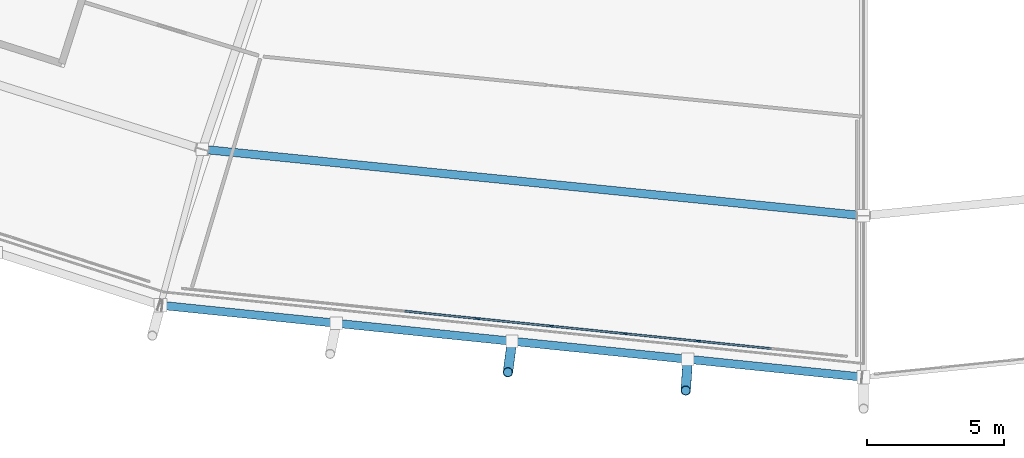
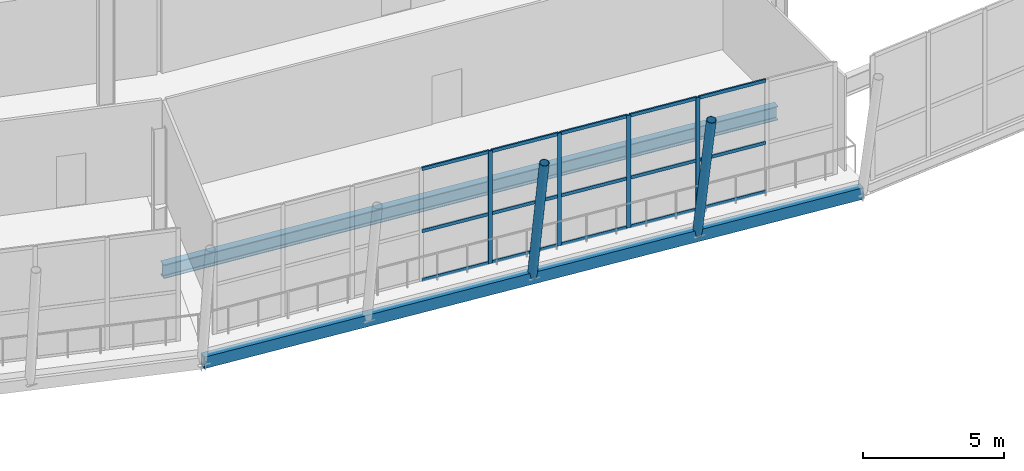
# One storey, part 21 of 99: 21 members, 2 beams, 1 element without a shape of its own.
"""IFC4 building model written with IfcOpenShell, lengths in metres."""

from ifc_helpers import new_model, si_unit, direction, frame, origin, origin_2d, place, context, subcontext, project, spatial, rectangle, hollow_rectangle, hollow_circle, i_section, extrude, material, material_profile, profile_set, type_object, element, aggregate, save


model = new_model("IFC4")

# Units and contexts
model_context = context("Model", 3, precision=1e-05, world=origin(), true_north=direction((0.0, 1.0)))
body_context = subcontext(model_context, "Body", "Model", "MODEL_VIEW")
ifc_project = project(units=[si_unit("LENGTHUNIT", "METRE"), si_unit("AREAUNIT", "SQUARE_METRE"), si_unit("VOLUMEUNIT", "CUBIC_METRE"), si_unit("PLANEANGLEUNIT", "RADIAN"), si_unit("MASSUNIT", "GRAM", prefix="KILO")], contexts=[model_context])

# Site, building, storey
site_placement = place(None, origin())
site = spatial("IfcSite", under=ifc_project, at=site_placement, CompositionType="ELEMENT")
building_placement = place(site_placement, origin())
building = spatial("IfcBuilding", under=site, at=building_placement, Name="Zlatoyarsky Gate Stadium", CompositionType="ELEMENT")
storey_placement = place(building_placement, frame((0.0, 0.0, 26.199951171875)))
storey = spatial("IfcBuildingStorey", under=building, at=storey_placement, Name="L05", CompositionType="ELEMENT", Elevation=26.199951171875)

# Curtain wall, members
ifc_material_1 = material(Name="Thermally broken anodised aluminium curtain wall", Category="aluminium")
curtain_wall_type = type_object("IfcCurtainWallType", Name="UNITISED SKYBOX RING GLAZING L05", PredefinedType="USERDEFINED", material=ifc_material_1)
curtain_wall_placement = place(storey_placement, origin())
curtain_wall = element("IfcCurtainWall", 1, at=curtain_wall_placement, inside=storey, type_object=curtain_wall_type, Name="Curtain wall CW-L05-17", ObjectType="UNITISED GLAZING", PredefinedType="USERDEFINED")
ifc_material_2 = material(Name="Anodised aluminium 6063-T6", Category="aluminium")
ifc_material_profile_1 = material_profile(ifc_material_2, rectangle(XDim=0.06494140625, YDim=0.159912109375, at=origin_2d()), Name="ALU 65X160")
ifc_profile_set_1 = profile_set([ifc_material_profile_1], Name="Anodised aluminium 6063-T6")
member_type_1 = type_object("IfcMemberType", Name="ALUMINIUM MULLION 65X160", PredefinedType="MULLION", material=ifc_profile_set_1)
member_1_placement = place(storey_placement, frame((96.954833984375, 5.256591796875, 0.0), z_axis=(0.0, 0.0, 1.0), x_axis=(0.101618248063, 0.994823467586, 0.0)))
member_1 = element("IfcMember", 2, at=member_1_placement, type_object=member_type_1, Name="CW-UG5 mullion 5", PredefinedType="MULLION", context=body_context, shape_type="SweptSolid", body=[
    extrude(rectangle(XDim=0.06494140625, YDim=0.159912109375, at=origin_2d()), origin(), (0.0, 0.0, 1.0), 4.880126953125),
])
member_2_placement = place(storey_placement, frame((99.634765625, 4.98291015625, 0.0), z_axis=(0.0, 0.0, 1.0), x_axis=(0.101618248063, 0.994823467586, 0.0)))
member_2 = element("IfcMember", 3, at=member_2_placement, type_object=member_type_1, Name="CW-UG5 mullion 6", PredefinedType="MULLION", context=body_context, shape_type="SweptSolid", body=[
    extrude(rectangle(XDim=0.06494140625, YDim=0.159912109375, at=origin_2d()), origin(), (0.0, 0.0, 1.0), 4.880126953125),
])
member_3_placement = place(storey_placement, frame((102.314453125, 4.709228515625, 0.0), z_axis=(0.0, 0.0, 1.0), x_axis=(0.101618248063, 0.994823467586, 0.0)))
member_3 = element("IfcMember", 4, at=member_3_placement, type_object=member_type_1, Name="CW-UG5 mullion 7", PredefinedType="MULLION", context=body_context, shape_type="SweptSolid", body=[
    extrude(rectangle(XDim=0.06494140625, YDim=0.159912109375, at=origin_2d()), origin(), (0.0, 0.0, 1.0), 4.880126953125),
])
member_4_placement = place(storey_placement, frame((104.994140625, 4.435546875, 0.0), z_axis=(0.0, 0.0, 1.0), x_axis=(0.101618248063, 0.994823467586, 0.0)))
member_4 = element("IfcMember", 5, at=member_4_placement, type_object=member_type_1, Name="CW-UG5 mullion 8", PredefinedType="MULLION", context=body_context, shape_type="SweptSolid", body=[
    extrude(rectangle(XDim=0.06494140625, YDim=0.159912109375, at=origin_2d()), origin(), (0.0, 0.0, 1.0), 4.880126953125),
])
ifc_material_profile_2 = material_profile(ifc_material_2, rectangle(XDim=0.06494140625, YDim=0.139892578125, at=origin_2d()), Name="ALU 65X140")
ifc_profile_set_2 = profile_set([ifc_material_profile_2], Name="Anodised aluminium 6063-T6")
member_type_2 = type_object("IfcMemberType", Name="ALUMINIUM TRANSOM 65X140", PredefinedType="USERDEFINED", material=ifc_profile_set_2)
member_5_placement = place(storey_placement, frame((94.3076171875, 5.527099609375, 0.032470703125), z_axis=(0.994824375324, -0.101609361087, 0.0), x_axis=(0.101609361087, 0.994824375324, 0.0)))
member_5 = element("IfcMember", 6, at=member_5_placement, type_object=member_type_2, Name="CW-UG5 transom 4.1", ObjectType="TRANSOM", PredefinedType="USERDEFINED", context=body_context, shape_type="SweptSolid", body=[
    extrude(rectangle(XDim=0.06494140625, YDim=0.139892578125, at=origin_2d()), origin(), (0.0, 0.0, 1.0), 2.628662109375),
])
member_6_placement = place(storey_placement, frame((94.3076171875, 5.527099609375, 2.150146484375), z_axis=(0.994824375324, -0.101609361087, 0.0), x_axis=(0.101609361087, 0.994824375324, 0.0)))
member_6 = element("IfcMember", 7, at=member_6_placement, type_object=member_type_2, Name="CW-UG5 transom 4.2", ObjectType="TRANSOM", PredefinedType="USERDEFINED", context=body_context, shape_type="SweptSolid", body=[
    extrude(rectangle(XDim=0.06494140625, YDim=0.139892578125, at=origin_2d()), origin(), (0.0, 0.0, 1.0), 2.628662109375),
])
member_7_placement = place(storey_placement, frame((94.3076171875, 5.527099609375, 4.84765625), z_axis=(0.994824375324, -0.101609361087, 0.0), x_axis=(0.101609361087, 0.994824375324, 0.0)))
member_7 = element("IfcMember", 8, at=member_7_placement, type_object=member_type_2, Name="CW-UG5 transom 4.3", ObjectType="TRANSOM", PredefinedType="USERDEFINED", context=body_context, shape_type="SweptSolid", body=[
    extrude(rectangle(XDim=0.06494140625, YDim=0.139892578125, at=origin_2d()), origin(), (0.0, 0.0, 1.0), 2.628662109375),
])
member_8_placement = place(storey_placement, frame((96.9873046875, 5.25341796875, 0.032470703125), z_axis=(0.994814982659, -0.10170127962, 0.0), x_axis=(0.10170127962, 0.994814982659, 0.0)))
member_8 = element("IfcMember", 9, at=member_8_placement, type_object=member_type_2, Name="CW-UG5 transom 5.1", ObjectType="TRANSOM", PredefinedType="USERDEFINED", context=body_context, shape_type="SweptSolid", body=[
    extrude(rectangle(XDim=0.06494140625, YDim=0.139892578125, at=origin_2d()), origin(), (0.0, 0.0, 1.0), 2.628662109375),
])
member_9_placement = place(storey_placement, frame((96.9873046875, 5.25341796875, 2.150146484375), z_axis=(0.994814982659, -0.10170127962, 0.0), x_axis=(0.10170127962, 0.994814982659, 0.0)))
member_9 = element("IfcMember", 10, at=member_9_placement, type_object=member_type_2, Name="CW-UG5 transom 5.2", ObjectType="TRANSOM", PredefinedType="USERDEFINED", context=body_context, shape_type="SweptSolid", body=[
    extrude(rectangle(XDim=0.06494140625, YDim=0.139892578125, at=origin_2d()), origin(), (0.0, 0.0, 1.0), 2.628662109375),
])
member_10_placement = place(storey_placement, frame((96.9873046875, 5.25341796875, 4.84765625), z_axis=(0.994814982659, -0.10170127962, 0.0), x_axis=(0.10170127962, 0.994814982659, 0.0)))
member_10 = element("IfcMember", 11, at=member_10_placement, type_object=member_type_2, Name="CW-UG5 transom 5.3", ObjectType="TRANSOM", PredefinedType="USERDEFINED", context=body_context, shape_type="SweptSolid", body=[
    extrude(rectangle(XDim=0.06494140625, YDim=0.139892578125, at=origin_2d()), origin(), (0.0, 0.0, 1.0), 2.628662109375),
])
member_11_placement = place(storey_placement, frame((99.6669921875, 4.9794921875, 0.032470703125), z_axis=(0.994824375324, -0.101609361087, 0.0), x_axis=(0.101609361087, 0.994824375324, 0.0)))
member_11 = element("IfcMember", 12, at=member_11_placement, type_object=member_type_2, Name="CW-UG5 transom 6.1", ObjectType="TRANSOM", PredefinedType="USERDEFINED", context=body_context, shape_type="SweptSolid", body=[
    extrude(rectangle(XDim=0.06494140625, YDim=0.139892578125, at=origin_2d()), origin(), (0.0, 0.0, 1.0), 2.628662109375),
])
member_12_placement = place(storey_placement, frame((99.6669921875, 4.9794921875, 2.150146484375), z_axis=(0.994824375324, -0.101609361087, 0.0), x_axis=(0.101609361087, 0.994824375324, 0.0)))
member_12 = element("IfcMember", 13, at=member_12_placement, type_object=member_type_2, Name="CW-UG5 transom 6.2", ObjectType="TRANSOM", PredefinedType="USERDEFINED", context=body_context, shape_type="SweptSolid", body=[
    extrude(rectangle(XDim=0.06494140625, YDim=0.139892578125, at=origin_2d()), origin(), (0.0, 0.0, 1.0), 2.628662109375),
])
member_13_placement = place(storey_placement, frame((99.6669921875, 4.9794921875, 4.84765625), z_axis=(0.994824375324, -0.101609361087, 0.0), x_axis=(0.101609361087, 0.994824375324, 0.0)))
member_13 = element("IfcMember", 14, at=member_13_placement, type_object=member_type_2, Name="CW-UG5 transom 6.3", ObjectType="TRANSOM", PredefinedType="USERDEFINED", context=body_context, shape_type="SweptSolid", body=[
    extrude(rectangle(XDim=0.06494140625, YDim=0.139892578125, at=origin_2d()), origin(), (0.0, 0.0, 1.0), 2.628662109375),
])
member_14_placement = place(storey_placement, frame((102.3466796875, 4.705810546875, 0.032470703125), z_axis=(0.994824375324, -0.101609361087, 0.0), x_axis=(0.101609361087, 0.994824375324, 0.0)))
member_14 = element("IfcMember", 15, at=member_14_placement, type_object=member_type_2, Name="CW-UG5 transom 7.1", ObjectType="TRANSOM", PredefinedType="USERDEFINED", context=body_context, shape_type="SweptSolid", body=[
    extrude(rectangle(XDim=0.06494140625, YDim=0.139892578125, at=origin_2d()), origin(), (0.0, 0.0, 1.0), 2.628662109375),
])
member_15_placement = place(storey_placement, frame((102.3466796875, 4.705810546875, 2.150146484375), z_axis=(0.994824375324, -0.101609361087, 0.0), x_axis=(0.101609361087, 0.994824375324, 0.0)))
member_15 = element("IfcMember", 16, at=member_15_placement, type_object=member_type_2, Name="CW-UG5 transom 7.2", ObjectType="TRANSOM", PredefinedType="USERDEFINED", context=body_context, shape_type="SweptSolid", body=[
    extrude(rectangle(XDim=0.06494140625, YDim=0.139892578125, at=origin_2d()), origin(), (0.0, 0.0, 1.0), 2.628662109375),
])
member_16_placement = place(storey_placement, frame((102.3466796875, 4.705810546875, 4.84765625), z_axis=(0.994824375324, -0.101609361087, 0.0), x_axis=(0.101609361087, 0.994824375324, 0.0)))
member_16 = element("IfcMember", 17, at=member_16_placement, type_object=member_type_2, Name="CW-UG5 transom 7.3", ObjectType="TRANSOM", PredefinedType="USERDEFINED", context=body_context, shape_type="SweptSolid", body=[
    extrude(rectangle(XDim=0.06494140625, YDim=0.139892578125, at=origin_2d()), origin(), (0.0, 0.0, 1.0), 2.628662109375),
])
member_17_placement = place(storey_placement, frame((105.0263671875, 4.43212890625, 0.032470703125), z_axis=(0.994824375324, -0.101609361087, 0.0), x_axis=(0.101609361087, 0.994824375324, 0.0)))
member_17 = element("IfcMember", 18, at=member_17_placement, type_object=member_type_2, Name="CW-UG5 transom 8.1", ObjectType="TRANSOM", PredefinedType="USERDEFINED", context=body_context, shape_type="SweptSolid", body=[
    extrude(rectangle(XDim=0.06494140625, YDim=0.139892578125, at=origin_2d()), origin(), (0.0, 0.0, 1.0), 2.628662109375),
])
member_18_placement = place(storey_placement, frame((105.0263671875, 4.43212890625, 2.150146484375), z_axis=(0.994824375324, -0.101609361087, 0.0), x_axis=(0.101609361087, 0.994824375324, 0.0)))
member_18 = element("IfcMember", 19, at=member_18_placement, type_object=member_type_2, Name="CW-UG5 transom 8.2", ObjectType="TRANSOM", PredefinedType="USERDEFINED", context=body_context, shape_type="SweptSolid", body=[
    extrude(rectangle(XDim=0.06494140625, YDim=0.139892578125, at=origin_2d()), origin(), (0.0, 0.0, 1.0), 2.628662109375),
])
member_19_placement = place(storey_placement, frame((105.0263671875, 4.43212890625, 4.84765625), z_axis=(0.994824375324, -0.101609361087, 0.0), x_axis=(0.101609361087, 0.994824375324, 0.0)))
member_19 = element("IfcMember", 20, at=member_19_placement, type_object=member_type_2, Name="CW-UG5 transom 8.3", ObjectType="TRANSOM", PredefinedType="USERDEFINED", context=body_context, shape_type="SweptSolid", body=[
    extrude(rectangle(XDim=0.06494140625, YDim=0.139892578125, at=origin_2d()), origin(), (0.0, 0.0, 1.0), 2.628662109375),
])
aggregate(curtain_wall, [member_1, member_2, member_3, member_4, member_5, member_6, member_7, member_8, member_9, member_10, member_11, member_12, member_13, member_14, member_15, member_16, member_17, member_18, member_19])

# Members
ifc_material_3 = material(Name="Steel S355", Category="steel")
ifc_material_profile_3 = material_profile(ifc_material_3, hollow_circle(Radius=0.177734375, WallThickness=0.02001953125, at=origin_2d()), Name="CHS 355.6X20")
ifc_profile_set_3 = profile_set([ifc_material_profile_3], Name="Steel S355")
member_type_3 = type_object("IfcMemberType", Name="STEEL LEANING RIB RING STRUT CHS 355.6X20", PredefinedType="STRUT", material=ifc_profile_set_3)
member_20_placement = place(storey_placement, frame((98.204345703125, 4.431640625, -0.510009765625), z_axis=(-0.025793599509, -0.195693079554, 0.980325919702), x_axis=(0.991425104906, -0.130676169834, 0.0)))
element("IfcMember", 21, at=member_20_placement, inside=storey, type_object=member_type_3, Name="Outward-leaning bowl louvre fin rib L05 17-2", PredefinedType="STRUT", context=body_context, shape_type="SweptSolid", body=[
    extrude(hollow_circle(Radius=0.177734375, WallThickness=0.02001953125, at=origin_2d()), origin(), (0.0, 0.0, 1.0), 5.773681640625),
])
member_21_placement = place(storey_placement, frame((104.60205078125, 3.77685546875, -0.510009765625), z_axis=(-0.012895730339, -0.197368095817, 0.980244630127), x_axis=(0.997872252144, -0.065199450922, 0.0)))
element("IfcMember", 22, at=member_21_placement, inside=storey, type_object=member_type_3, Name="Outward-leaning bowl louvre fin rib L05 17-3", PredefinedType="STRUT", context=body_context, shape_type="SweptSolid", body=[
    extrude(hollow_circle(Radius=0.177734375, WallThickness=0.02001953125, at=origin_2d()), origin(), (0.0, 0.0, 1.0), 5.774169921875),
])

# Beams
ifc_material_profile_4 = material_profile(ifc_material_3, hollow_rectangle(XDim=0.300048828125, YDim=0.5, WallThickness=0.02001953125, at=origin_2d()), Name="RHS 500X300X20")
ifc_profile_set_4 = profile_set([ifc_material_profile_4], Name="Steel S355")
beam_type_1 = type_object("IfcBeamType", Name="STEEL LOUVRE CARRIER SPANDREL RHS 500X300X20", PredefinedType="SPANDREL", material=ifc_profile_set_4)
beam_1_placement = place(storey_placement, frame((85.428466796875, 5.739501953125, -0.510009765625), z_axis=(0.994800962536, -0.10183832745, 0.0), x_axis=(0.10183832745, 0.994800962536, 0.0)))
element("IfcBeam", 23, at=beam_1_placement, inside=storey, type_object=beam_type_1, Name="Beam SP-RHS500 BM-L05-SPD-17", PredefinedType="SPANDREL", context=body_context, shape_type="SweptSolid", body=[
    extrude(hollow_rectangle(XDim=0.300048828125, YDim=0.5, WallThickness=0.02001953125, at=origin_2d()), origin(), (0.0, 0.0, 1.0), 25.68505859375),
])
ifc_material_profile_5 = material_profile(ifc_material_3, i_section(OverallWidth=0.300048828125, OverallDepth=0.60009765625, WebThickness=0.015380859375, FlangeThickness=0.030029296875, FilletRadius=0.027099609375, at=origin_2d()), Name="HEB 600")
ifc_profile_set_5 = profile_set([ifc_material_profile_5], Name="Steel S355")
beam_type_2 = type_object("IfcBeamType", Name="STEEL PRIMARY GIRDER HEB 600", PredefinedType="BEAM", material=ifc_profile_set_5)
beam_2_placement = place(storey_placement, frame((87.04931640625, 11.4072265625, -0.56005859375), z_axis=(0.994986905268, -0.100005291586, 0.0), x_axis=(0.100005291586, 0.994986905268, 0.0)))
element("IfcBeam", 24, at=beam_2_placement, inside=storey, type_object=beam_type_2, Name="Beam G-HEB600 BM-L05-CRC-17", PredefinedType="BEAM", context=body_context, shape_type="SweptSolid", body=[
    extrude(i_section(OverallWidth=0.300048828125, OverallDepth=0.60009765625, WebThickness=0.015380859375, FlangeThickness=0.030029296875, FilletRadius=0.027099609375, at=origin_2d()), origin(), (0.0, 0.0, 1.0), 23.951416015625),
])

save(model, "model.ifc")
